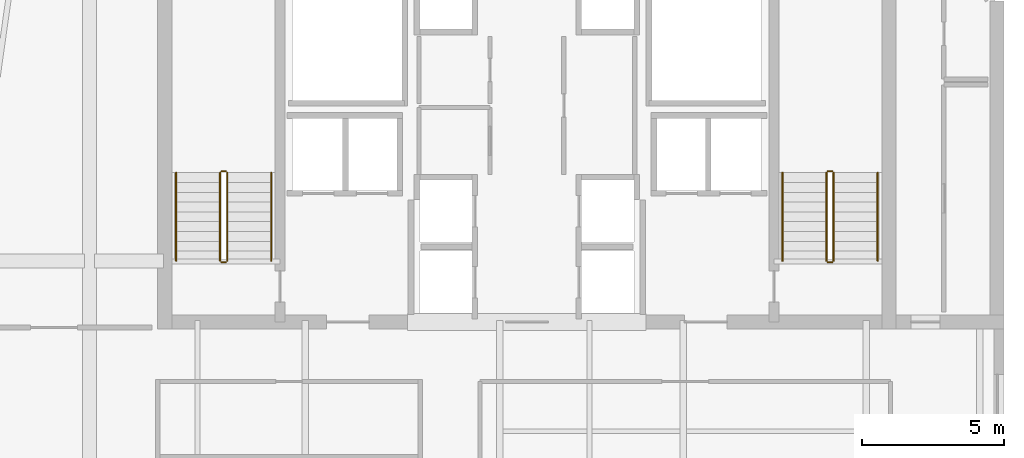
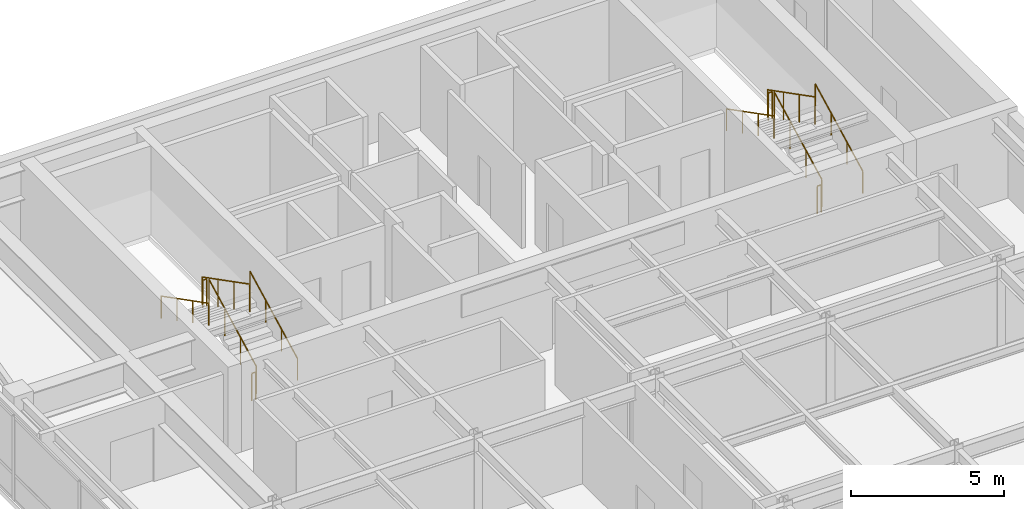
# One storey, part 19 of 19: 12 railings.
"""IFC4 building model written with IfcOpenShell, lengths in metres."""

from ifc_helpers import new_model, si_unit, direction, frame, origin, origin_2d, place, context, subcontext, project, spatial, circle, extrude, material, type_object, element, save


model = new_model("IFC4")

# Units and contexts
model_context = context("Model", 3, precision=1e-05, world=origin(), true_north=direction((0.0, 1.0)))
body_context = subcontext(model_context, "Body", "Model", "MODEL_VIEW")
ifc_project = project(units=[si_unit("LENGTHUNIT", "METRE"), si_unit("AREAUNIT", "SQUARE_METRE"), si_unit("VOLUMEUNIT", "CUBIC_METRE"), si_unit("PLANEANGLEUNIT", "RADIAN"), si_unit("MASSUNIT", "GRAM", prefix="KILO")], contexts=[model_context])

# Site, building, storey
site_placement = place(None, origin())
site = spatial("IfcSite", under=ifc_project, at=site_placement, CompositionType="ELEMENT")
building_placement = place(site_placement, origin())
building = spatial("IfcBuilding", under=site, at=building_placement, Name="Tolvann Quenvar Hotel", CompositionType="ELEMENT")
storey_placement = place(building_placement, frame((0.0, 0.0, 223.89990234375)))
storey = spatial("IfcBuildingStorey", under=building, at=storey_placement, Name="L59", CompositionType="ELEMENT", Elevation=223.89990234375)

# Railings
ifc_material = material(Name="Brushed 316 stainless steel balustrade and handrail", Category="steel")
railing_type_1 = type_object("IfcRailingType", Name="GUARDRAIL", PredefinedType="GUARDRAIL", material=ifc_material)
railing_1_placement = place(storey_placement, frame((12.449951171875, 34.0, 0.177490234375)))
element("IfcRailing", 1, at=railing_1_placement, inside=storey, type_object=railing_type_1, Name="L59 ST-C1 stair guard 1", PredefinedType="GUARDRAIL", context=body_context, shape_type="SweptSolid", body=[
    extrude(circle(Radius=0.02392578125, at=origin_2d()), frame((0.0, 0.0, 1.09619140625), z_axis=(0.0, 0.88919353882, 0.457531256332), x_axis=(-1.0, 0.0, 0.0)), (0.0, 0.0, 1.0), 3.491943359375),
    extrude(circle(Radius=0.02099609375, at=origin_2d()), origin(), (0.0, 0.0, 1.0), 1.072021484375),
    extrude(circle(Radius=0.02099609375, at=origin_2d()), frame((0.0, 1.034912109375, 0.532470703125)), (0.0, 0.0, 1.0), 1.072021484375),
    extrude(circle(Radius=0.02099609375, at=origin_2d()), frame((0.0, 2.070068359375, 1.065185546875)), (0.0, 0.0, 1.0), 1.072021484375),
    extrude(circle(Radius=0.02099609375, at=origin_2d()), frame((0.0, 3.10498046875, 1.59765625)), (0.0, 0.0, 1.0), 1.072021484375),
])
railing_2_placement = place(storey_placement, frame((12.39990234375, 37.155029296875, 1.775146484375)))
element("IfcRailing", 2, at=railing_2_placement, inside=storey, type_object=railing_type_1, Name="L59 ST-C1 stair guard 2", PredefinedType="GUARDRAIL", context=body_context, shape_type="SweptSolid", body=[
    extrude(circle(Radius=0.02392578125, at=origin_2d()), frame((0.0, 0.0, 1.09619140625), z_axis=(-1.0, 0.0, 0.0), x_axis=(0.0, -1.0, 0.0)), (0.0, 0.0, 1.0), 0.14990234375),
    extrude(circle(Radius=0.02099609375, at=origin_2d()), origin(), (0.0, 0.0, 1.0), 1.072021484375),
    extrude(circle(Radius=0.02099609375, at=origin_2d()), frame((-0.14990234375, 0.0, 0.0)), (0.0, 0.0, 1.0), 1.072021484375),
])
railing_3_placement = place(storey_placement, frame((12.199951171875, 37.10498046875, 1.95263671875)))
element("IfcRailing", 3, at=railing_3_placement, inside=storey, type_object=railing_type_1, Name="L59 ST-C1 stair guard 3", PredefinedType="GUARDRAIL", context=body_context, shape_type="SweptSolid", body=[
    extrude(circle(Radius=0.02392578125, at=origin_2d()), frame((0.0, 0.0, 1.09619140625), z_axis=(0.0, -0.889221982265, 0.45747597342), x_axis=(1.0, 0.0, 0.0)), (0.0, 0.0, 1.0), 3.49169921875),
    extrude(circle(Radius=0.02099609375, at=origin_2d()), origin(), (0.0, 0.0, 1.0), 1.072021484375),
    extrude(circle(Radius=0.02099609375, at=origin_2d()), frame((0.0, -1.034912109375, 0.532470703125)), (0.0, 0.0, 1.0), 1.072021484375),
    extrude(circle(Radius=0.02099609375, at=origin_2d()), frame((0.0, -2.070068359375, 1.06494140625)), (0.0, 0.0, 1.0), 1.072021484375),
    extrude(circle(Radius=0.02099609375, at=origin_2d()), frame((0.0, -3.10498046875, 1.597412109375)), (0.0, 0.0, 1.0), 1.072021484375),
])
railing_4_placement = place(storey_placement, frame((12.39990234375, 33.949951171875, 0.0)))
element("IfcRailing", 4, at=railing_4_placement, inside=storey, type_object=railing_type_1, Name="L59 ST-C1 stair guard 4", PredefinedType="GUARDRAIL", context=body_context, shape_type="SweptSolid", body=[
    extrude(circle(Radius=0.02392578125, at=origin_2d()), frame((0.0, 0.0, 1.09619140625), z_axis=(-1.0, 0.0, 0.0), x_axis=(0.0, -1.0, 0.0)), (0.0, 0.0, 1.0), 0.14990234375),
    extrude(circle(Radius=0.02099609375, at=origin_2d()), origin(), (0.0, 0.0, 1.0), 1.072021484375),
    extrude(circle(Radius=0.02099609375, at=origin_2d()), frame((-0.14990234375, 0.0, 0.0)), (0.0, 0.0, 1.0), 1.072021484375),
])
railing_5_placement = place(storey_placement, frame((33.800048828125, 34.0, 0.177490234375)))
element("IfcRailing", 5, at=railing_5_placement, inside=storey, type_object=railing_type_1, Name="L59 ST-C2 stair guard 1", PredefinedType="GUARDRAIL", context=body_context, shape_type="SweptSolid", body=[
    extrude(circle(Radius=0.02392578125, at=origin_2d()), frame((0.0, 0.0, 1.09619140625), z_axis=(0.0, 0.88919353882, 0.457531256332), x_axis=(-1.0, 0.0, 0.0)), (0.0, 0.0, 1.0), 3.491943359375),
    extrude(circle(Radius=0.02099609375, at=origin_2d()), origin(), (0.0, 0.0, 1.0), 1.072021484375),
    extrude(circle(Radius=0.02099609375, at=origin_2d()), frame((0.0, 1.034912109375, 0.532470703125)), (0.0, 0.0, 1.0), 1.072021484375),
    extrude(circle(Radius=0.02099609375, at=origin_2d()), frame((0.0, 2.070068359375, 1.065185546875)), (0.0, 0.0, 1.0), 1.072021484375),
    extrude(circle(Radius=0.02099609375, at=origin_2d()), frame((0.0, 3.10498046875, 1.59765625)), (0.0, 0.0, 1.0), 1.072021484375),
])
railing_6_placement = place(storey_placement, frame((33.75, 37.155029296875, 1.775146484375)))
element("IfcRailing", 6, at=railing_6_placement, inside=storey, type_object=railing_type_1, Name="L59 ST-C2 stair guard 2", PredefinedType="GUARDRAIL", context=body_context, shape_type="SweptSolid", body=[
    extrude(circle(Radius=0.02392578125, at=origin_2d()), frame((0.0, 0.0, 1.09619140625), z_axis=(-1.0, 0.0, 0.0), x_axis=(0.0, -1.0, 0.0)), (0.0, 0.0, 1.0), 0.14990234375),
    extrude(circle(Radius=0.02099609375, at=origin_2d()), origin(), (0.0, 0.0, 1.0), 1.072021484375),
    extrude(circle(Radius=0.02099609375, at=origin_2d()), frame((-0.14990234375, 0.0, 0.0)), (0.0, 0.0, 1.0), 1.072021484375),
])
railing_7_placement = place(storey_placement, frame((33.550048828125, 37.10498046875, 1.95263671875)))
element("IfcRailing", 7, at=railing_7_placement, inside=storey, type_object=railing_type_1, Name="L59 ST-C2 stair guard 3", PredefinedType="GUARDRAIL", context=body_context, shape_type="SweptSolid", body=[
    extrude(circle(Radius=0.02392578125, at=origin_2d()), frame((0.0, 0.0, 1.09619140625), z_axis=(0.0, -0.889221982265, 0.45747597342), x_axis=(1.0, 0.0, 0.0)), (0.0, 0.0, 1.0), 3.49169921875),
    extrude(circle(Radius=0.02099609375, at=origin_2d()), origin(), (0.0, 0.0, 1.0), 1.072021484375),
    extrude(circle(Radius=0.02099609375, at=origin_2d()), frame((0.0, -1.034912109375, 0.532470703125)), (0.0, 0.0, 1.0), 1.072021484375),
    extrude(circle(Radius=0.02099609375, at=origin_2d()), frame((0.0, -2.070068359375, 1.06494140625)), (0.0, 0.0, 1.0), 1.072021484375),
    extrude(circle(Radius=0.02099609375, at=origin_2d()), frame((0.0, -3.10498046875, 1.597412109375)), (0.0, 0.0, 1.0), 1.072021484375),
])
railing_8_placement = place(storey_placement, frame((33.75, 33.949951171875, 0.0)))
element("IfcRailing", 8, at=railing_8_placement, inside=storey, type_object=railing_type_1, Name="L59 ST-C2 stair guard 4", PredefinedType="GUARDRAIL", context=body_context, shape_type="SweptSolid", body=[
    extrude(circle(Radius=0.02392578125, at=origin_2d()), frame((0.0, 0.0, 1.09619140625), z_axis=(-1.0, 0.0, 0.0), x_axis=(0.0, -1.0, 0.0)), (0.0, 0.0, 1.0), 0.14990234375),
    extrude(circle(Radius=0.02099609375, at=origin_2d()), origin(), (0.0, 0.0, 1.0), 1.072021484375),
    extrude(circle(Radius=0.02099609375, at=origin_2d()), frame((-0.14990234375, 0.0, 0.0)), (0.0, 0.0, 1.0), 1.072021484375),
])
railing_type_2 = type_object("IfcRailingType", Name="HANDRAIL", PredefinedType="HANDRAIL", material=ifc_material)
railing_9_placement = place(storey_placement, frame((14.0, 34.0, 0.177490234375)))
element("IfcRailing", 9, at=railing_9_placement, inside=storey, type_object=railing_type_2, Name="L59 ST-C1 stair handrail 1", PredefinedType="HANDRAIL", context=body_context, shape_type="SweptSolid", body=[
    extrude(circle(Radius=0.02392578125, at=origin_2d()), frame((0.0, 0.0, 0.8759765625), z_axis=(0.0, 0.88919353882, 0.457531256332), x_axis=(-1.0, 0.0, 0.0)), (0.0, 0.0, 1.0), 3.491943359375),
    extrude(circle(Radius=0.02099609375, at=origin_2d()), origin(), (0.0, 0.0, 1.0), 0.851806640625),
    extrude(circle(Radius=0.02099609375, at=origin_2d()), frame((0.0, 1.034912109375, 0.532470703125)), (0.0, 0.0, 1.0), 0.851806640625),
    extrude(circle(Radius=0.02099609375, at=origin_2d()), frame((0.0, 2.070068359375, 1.065185546875)), (0.0, 0.0, 1.0), 0.851806640625),
    extrude(circle(Radius=0.02099609375, at=origin_2d()), frame((0.0, 3.10498046875, 1.59765625)), (0.0, 0.0, 1.0), 0.851806640625),
])
railing_10_placement = place(storey_placement, frame((10.64990234375, 37.10498046875, 1.95263671875)))
element("IfcRailing", 10, at=railing_10_placement, inside=storey, type_object=railing_type_2, Name="L59 ST-C1 stair handrail 2", PredefinedType="HANDRAIL", context=body_context, shape_type="SweptSolid", body=[
    extrude(circle(Radius=0.02392578125, at=origin_2d()), frame((0.0, 0.0, 0.8759765625), z_axis=(0.0, -0.889221982265, 0.45747597342), x_axis=(1.0, 0.0, 0.0)), (0.0, 0.0, 1.0), 3.49169921875),
    extrude(circle(Radius=0.02099609375, at=origin_2d()), origin(), (0.0, 0.0, 1.0), 0.851806640625),
    extrude(circle(Radius=0.02099609375, at=origin_2d()), frame((0.0, -1.034912109375, 0.532470703125)), (0.0, 0.0, 1.0), 0.851806640625),
    extrude(circle(Radius=0.02099609375, at=origin_2d()), frame((0.0, -2.070068359375, 1.06494140625)), (0.0, 0.0, 1.0), 0.851806640625),
    extrude(circle(Radius=0.02099609375, at=origin_2d()), frame((0.0, -3.10498046875, 1.597412109375)), (0.0, 0.0, 1.0), 0.851806640625),
])
railing_11_placement = place(storey_placement, frame((35.35009765625, 34.0, 0.177490234375)))
element("IfcRailing", 11, at=railing_11_placement, inside=storey, type_object=railing_type_2, Name="L59 ST-C2 stair handrail 1", PredefinedType="HANDRAIL", context=body_context, shape_type="SweptSolid", body=[
    extrude(circle(Radius=0.02392578125, at=origin_2d()), frame((0.0, 0.0, 0.8759765625), z_axis=(0.0, 0.88919353882, 0.457531256332), x_axis=(-1.0, 0.0, 0.0)), (0.0, 0.0, 1.0), 3.491943359375),
    extrude(circle(Radius=0.02099609375, at=origin_2d()), origin(), (0.0, 0.0, 1.0), 0.851806640625),
    extrude(circle(Radius=0.02099609375, at=origin_2d()), frame((0.0, 1.034912109375, 0.532470703125)), (0.0, 0.0, 1.0), 0.851806640625),
    extrude(circle(Radius=0.02099609375, at=origin_2d()), frame((0.0, 2.070068359375, 1.065185546875)), (0.0, 0.0, 1.0), 0.851806640625),
    extrude(circle(Radius=0.02099609375, at=origin_2d()), frame((0.0, 3.10498046875, 1.59765625)), (0.0, 0.0, 1.0), 0.851806640625),
])
railing_12_placement = place(storey_placement, frame((32.0, 37.10498046875, 1.95263671875)))
element("IfcRailing", 12, at=railing_12_placement, inside=storey, type_object=railing_type_2, Name="L59 ST-C2 stair handrail 2", PredefinedType="HANDRAIL", context=body_context, shape_type="SweptSolid", body=[
    extrude(circle(Radius=0.02392578125, at=origin_2d()), frame((0.0, 0.0, 0.8759765625), z_axis=(0.0, -0.889221982265, 0.45747597342), x_axis=(1.0, 0.0, 0.0)), (0.0, 0.0, 1.0), 3.49169921875),
    extrude(circle(Radius=0.02099609375, at=origin_2d()), origin(), (0.0, 0.0, 1.0), 0.851806640625),
    extrude(circle(Radius=0.02099609375, at=origin_2d()), frame((0.0, -1.034912109375, 0.532470703125)), (0.0, 0.0, 1.0), 0.851806640625),
    extrude(circle(Radius=0.02099609375, at=origin_2d()), frame((0.0, -2.070068359375, 1.06494140625)), (0.0, 0.0, 1.0), 0.851806640625),
    extrude(circle(Radius=0.02099609375, at=origin_2d()), frame((0.0, -3.10498046875, 1.597412109375)), (0.0, 0.0, 1.0), 0.851806640625),
])

save(model, "model.ifc")
